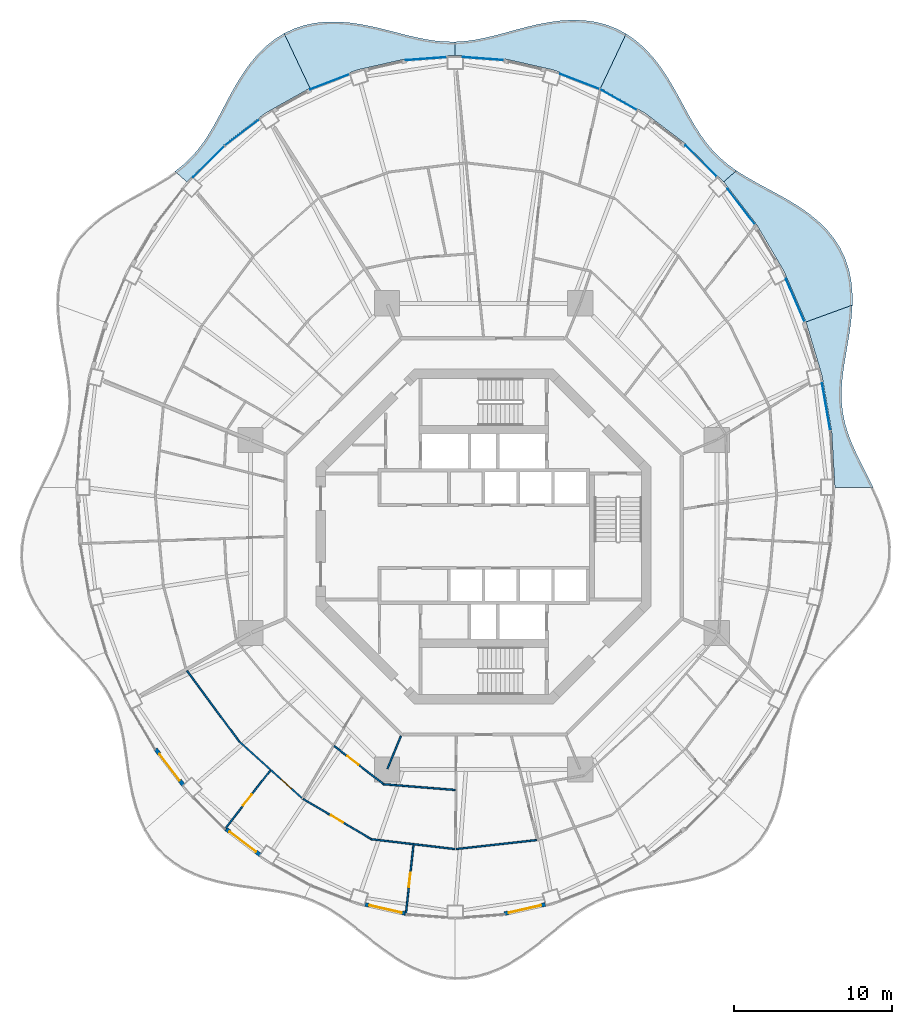
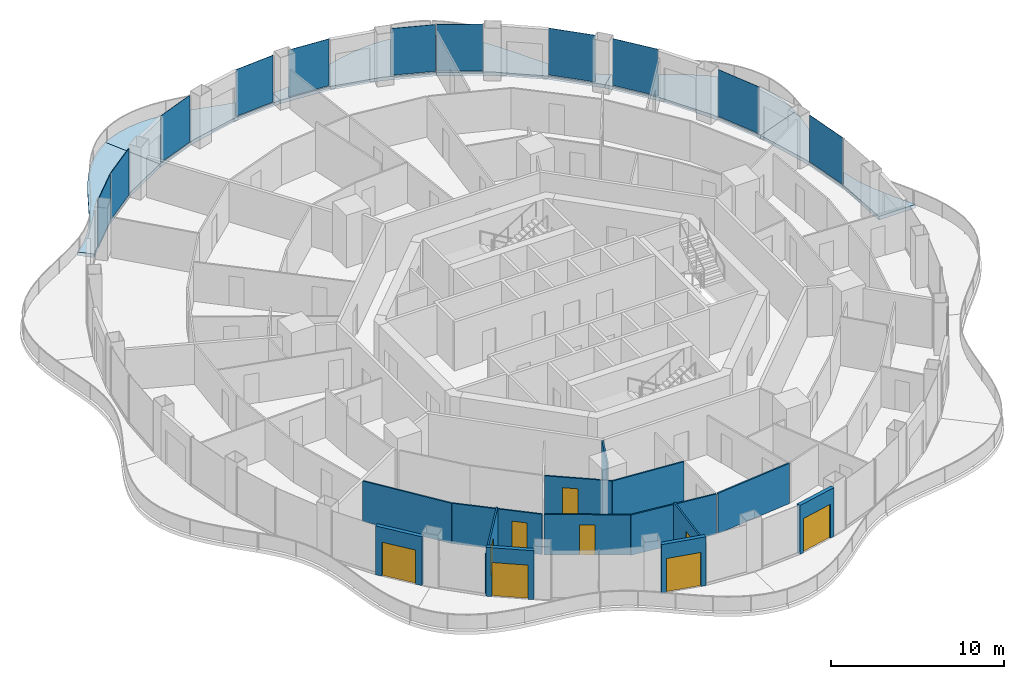
# One storey, part 9 of 18: 14 walls, 11 plates, 9 doors, 6 slabs, 9 openings, 11 elements without a shape of their own.
"""IFC4 building model written with IfcOpenShell, lengths in metres."""

import ifcopenshell
import ifcopenshell.guid

model = None  # the IFC model being written
_history = None  # IfcOwnerHistory: only IFC2X3 demands one
_inside = {}  # id of a spatial element -> (the spatial element, [elements in it])
_under = {}  # id of a project, library or spatial element -> (it, [spatial elements below it])
_declared = {}  # id of a project -> (the project, [libraries it declares])
_typed = {}  # id of a type object -> (the type object, [elements of that type])
_made_of = {}  # id of a material, layer set ... -> (it, [elements and type objects made of it])


def new_model(schema):
    """Start an empty IFC model of exactly this schema.

    Asked for "IFC4X3", IfcOpenShell would pick the latest addendum, in which some entities
    have other attributes; the version numbers below select the first issue.
    IFC2X3 requires an IfcOwnerHistory on every rooted entity: one is made here for all.
    """
    global model, _history
    if schema == "IFC4X3":
        model = ifcopenshell.file(schema_version=(4, 3, 0, 0))
    else:
        model = ifcopenshell.file(schema=schema)
    _inside.clear()
    _under.clear()
    _declared.clear()
    _typed.clear()
    _made_of.clear()
    _history = None
    if model.schema == "IFC2X3":
        org = make("IfcOrganization", Name="unknown")
        user = make(
            "IfcPersonAndOrganization",
            ThePerson=make("IfcPerson", FamilyName="unknown"),
            TheOrganization=org,
        )
        app = make(
            "IfcApplication",
            ApplicationDeveloper=org,
            Version="unknown",
            ApplicationFullName="unknown",
            ApplicationIdentifier="unknown",
        )
        _history = make(
            "IfcOwnerHistory",
            OwningUser=user,
            OwningApplication=app,
            ChangeAction="ADDED",
            CreationDate=0,
        )
    return model


def make(cls, **values):
    """One entity of the class cls with the attributes given. An attribute that is None is left unset."""
    return model.create_entity(
        cls, **{name: value for name, value in values.items() if value is not None}
    )


def rooted(cls, **values):
    """An entity with a GlobalId (a new one), such as an element, a storey or a relation."""
    return make(cls, GlobalId=ifcopenshell.guid.new(), OwnerHistory=_history, **values)


def si_unit(unit_type, name, prefix=None):
    """IfcSIUnit, for example si_unit("LENGTHUNIT", "METRE", prefix="MILLI")."""
    return make("IfcSIUnit", UnitType=unit_type, Prefix=prefix, Name=name)


def assignment(units):
    """IfcUnitAssignment: the units of a project."""
    return None if units is None else make("IfcUnitAssignment", Units=units)


def point(xyz):
    """IfcCartesianPoint."""
    return None if xyz is None else make("IfcCartesianPoint", Coordinates=xyz)


def direction(xyz):
    """IfcDirection."""
    return None if xyz is None else make("IfcDirection", DirectionRatios=xyz)


def frame(location, z_axis=None, x_axis=None):
    """IfcAxis2Placement3D, a coordinate frame: its origin and axes. An axis left out is left unset."""
    return make(
        "IfcAxis2Placement3D",
        Location=point(location),
        Axis=direction(z_axis),
        RefDirection=direction(x_axis),
    )


def frame_2d(location, x_axis=None):
    """IfcAxis2Placement2D, a coordinate frame in the plane: its origin and x axis."""
    return make(
        "IfcAxis2Placement2D", Location=point(location), RefDirection=direction(x_axis)
    )


def origin():
    """The frame at (0, 0, 0) with its axes left unset."""
    return frame((0.0, 0.0, 0.0))


def origin_2d():
    """The frame at (0, 0) in the plane with its x axis left unset."""
    return frame_2d((0.0, 0.0))


def place(relative_to, where):
    """IfcLocalPlacement: puts the frame where relative to a parent placement (None: the world)."""
    return make(
        "IfcLocalPlacement", PlacementRelTo=relative_to, RelativePlacement=where
    )


def context(
    kind, dimensions, precision=None, world=None, true_north=None, identifier=None
):
    """IfcGeometricRepresentationContext, for example the 3D "Model" context."""
    return make(
        "IfcGeometricRepresentationContext",
        ContextIdentifier=identifier,
        ContextType=kind,
        CoordinateSpaceDimension=dimensions,
        Precision=precision,
        WorldCoordinateSystem=world,
        TrueNorth=true_north,
    )


def subcontext(parent, identifier, kind, view, scale=None):
    """IfcGeometricRepresentationSubContext, for example "Body" below "Model"."""
    return make(
        "IfcGeometricRepresentationSubContext",
        ContextIdentifier=identifier,
        ContextType=kind,
        ParentContext=parent,
        TargetScale=scale,
        TargetView=view,
    )


def project(units=None, contexts=None):
    """IfcProject with its units and contexts."""
    return rooted(
        "IfcProject",
        Name="project",
        RepresentationContexts=contexts,
        UnitsInContext=assignment(units),
    )


def spatial(cls, under=None, at=None, **own):
    """A site, building, storey or space (cls), placed at a placement, below another one or the project."""
    s = rooted(cls, ObjectPlacement=at, **own)
    if under is not None:
        _under.setdefault(under.id(), (under, []))[1].append(s)
    return s


def polyline(points):
    """IfcPolyline through the points."""
    return make("IfcPolyline", Points=[point(p) for p in points])


def profile(cls, at=None, kind="AREA", **sizes):
    """A parametric profile (cls). Its sizes go by their IFC names, for example OverallWidth=200.0."""
    return make(cls, ProfileType=kind, Position=at, **sizes)


def rectangle(**sizes):
    """IfcRectangleProfileDef."""
    return profile("IfcRectangleProfileDef", **sizes)


def outline(outer, holes=None, kind="AREA"):
    """IfcArbitraryClosedProfileDef: a profile drawn as a closed curve; with holes, ...WithVoids."""
    if holes is None:
        return make("IfcArbitraryClosedProfileDef", ProfileType=kind, OuterCurve=outer)
    return make(
        "IfcArbitraryProfileDefWithVoids",
        ProfileType=kind,
        OuterCurve=outer,
        InnerCurves=holes,
    )


def extrude(swept, where, along, depth):
    """IfcExtrudedAreaSolid: the profile swept, set in the frame where, extruded along a direction by depth."""
    return make(
        "IfcExtrudedAreaSolid",
        SweptArea=swept,
        Position=where,
        ExtrudedDirection=direction(along),
        Depth=depth,
    )


def shape(context_of_items, identifier, shape_type, items):
    """IfcShapeRepresentation: the items that make up one representation, for example the "Body"."""
    return make(
        "IfcShapeRepresentation",
        ContextOfItems=context_of_items,
        RepresentationIdentifier=identifier,
        RepresentationType=shape_type,
        Items=items,
    )


def material(Name=None, Category=None):
    """IfcMaterial."""
    return make("IfcMaterial", Name=Name, Category=Category)


def layer(
    of_material, thickness, ventilated=None, Name=None, Category=None, Priority=None
):
    """IfcMaterialLayer: one layer of a wall or slab, of a material (None: an air gap)."""
    return make(
        "IfcMaterialLayer",
        Material=of_material,
        LayerThickness=thickness,
        IsVentilated=ventilated,
        Name=Name,
        Category=Category,
        Priority=Priority,
    )


def layer_set(layers, Name=None):
    """IfcMaterialLayerSet."""
    return make("IfcMaterialLayerSet", MaterialLayers=layers, LayerSetName=Name)


def made_of(thing, what):
    """Note that an element or type object is made of a material, layer set ...; save() writes the relation."""
    if what is not None:
        _made_of.setdefault(what.id(), (what, []))[1].append(thing)
    return thing


def type_object(cls, material=None, **own):
    """A type object (cls), such as IfcWallType, which elements share."""
    return made_of(rooted(cls, **own), material)


def element(
    cls,
    number,
    at=None,
    inside=None,
    cuts=None,
    type_object=None,
    material=None,
    context=None,
    identifier="Body",
    shape_type=None,
    held_by="IfcProductDefinitionShape",
    body=None,
    shapes=None,
    **own,
):
    """One element of the class cls, such as IfcWall. Its Tag is "e" and its number.

    at: its placement. inside: the storey or other place that contains it. cuts: it is an
    opening in that element (IfcRelVoidsElement). A single representation is given by context,
    identifier, shape_type and body (its items); several are given by shapes. held_by: the class
    of the entity that holds the representations. save() writes the other relations.
    """
    e = rooted(cls, Tag="e%d" % number, ObjectPlacement=at, **own)
    if body is not None:
        shapes = [shape(context, identifier, shape_type, body)]
    if shapes is not None:
        e.Representation = make(held_by, Representations=shapes)
    if inside is not None:
        _inside.setdefault(inside.id(), (inside, []))[1].append(e)
    if cuts is not None:
        rooted(
            "IfcRelVoidsElement", RelatingBuildingElement=cuts, RelatedOpeningElement=e
        )
    if type_object is not None:
        _typed.setdefault(type_object.id(), (type_object, []))[1].append(e)
    return made_of(e, material)


def fill(opening, filler):
    """IfcRelFillsElement: the door or window that sits in an opening."""
    return rooted(
        "IfcRelFillsElement",
        RelatingOpeningElement=opening,
        RelatedBuildingElement=filler,
    )


def aggregate(whole, parts):
    """IfcRelAggregates: a whole, such as a stair, and the parts it consists of."""
    return rooted("IfcRelAggregates", RelatingObject=whole, RelatedObjects=parts)


def save(model, path):
    """Write the relations noted so far, then the file.

    IfcRelAggregates (storeys below a building ...), IfcRelContainedInSpatialStructure (elements
    in a storey), IfcRelDefinesByType, IfcRelAssociatesMaterial and IfcRelDeclares: one each for
    every whole, place, type object, material and project.
    """
    for whole, parts in _under.values():
        aggregate(whole, parts)
    for where, things in _inside.values():
        rooted(
            "IfcRelContainedInSpatialStructure",
            RelatedElements=things,
            RelatingStructure=where,
        )
    for kind, things in _typed.values():
        rooted("IfcRelDefinesByType", RelatedObjects=things, RelatingType=kind)
    for what, things in _made_of.values():
        rooted("IfcRelAssociatesMaterial", RelatedObjects=things, RelatingMaterial=what)
    for by, libraries in _declared.values():
        rooted("IfcRelDeclares", RelatingContext=by, RelatedDefinitions=libraries)
    model.write(path)


model = new_model("IFC4")

# Units and contexts
model_context = context("Model", 3, precision=1e-05, world=origin(), true_north=direction((0.0, 1.0)))
body_context = subcontext(model_context, "Body", "Model", "MODEL_VIEW")
ifc_project = project(units=[si_unit("LENGTHUNIT", "METRE"), si_unit("AREAUNIT", "SQUARE_METRE"), si_unit("VOLUMEUNIT", "CUBIC_METRE"), si_unit("PLANEANGLEUNIT", "RADIAN"), si_unit("MASSUNIT", "GRAM", prefix="KILO")], contexts=[model_context])

# Site, building, storey
site_placement = place(None, origin())
site = spatial("IfcSite", under=ifc_project, at=site_placement, CompositionType="ELEMENT")
building_placement = place(site_placement, origin())
building = spatial("IfcBuilding", under=site, at=building_placement, Name="Nagisa Residences", CompositionType="ELEMENT")
storey_placement = place(building_placement, frame((0.0, 0.0, 223.300048828125)))
storey = spatial("IfcBuildingStorey", under=building, at=storey_placement, Name="L56", CompositionType="ELEMENT", Elevation=223.300048828125)

# Slabs
ifc_material_1 = material(Name="Concrete C40/50", Category="concrete")
ifc_layer_1 = layer(ifc_material_1, 0.25)
ifc_layer_set_1 = layer_set([ifc_layer_1], Name="BALCONY SLAB 250")
slab_type = type_object("IfcSlabType", Name="BALCONY SLAB 250", PredefinedType="FLOOR", material=ifc_layer_set_1)
slab_1_placement = place(storey_placement, frame((0.0, 0.0, -0.25)))
element("IfcSlab", 1, at=slab_1_placement, inside=storey, type_object=slab_type, Name="slab:L56:bal00", PredefinedType="FLOOR", context=body_context, shape_type="SweptSolid", body=[
    extrude(outline(polyline([(24.698486328125, 3.11767578125), (24.342041015625, 3.83056640625), (23.9853515625, 4.529052734375), (23.646728515625, 5.21435546875), (23.343017578125, 5.890380859375), (23.087890625, 6.560791015625), (22.891357421875, 7.231201171875), (22.75927734375, 7.906494140625), (22.693115234375, 8.592041015625), (22.689208984375, 9.29248046875), (22.740234375, 10.010498046875), (22.83447265625, 10.74853515625), (22.95703125, 11.50634765625), (23.0908203125, 12.28173828125), (23.21728515625, 13.0712890625), (23.317626953125, 13.869140625), (23.374267578125, 14.668212890625), (20.437744140625, 13.599365234375), (21.449951171875, 10.206787109375), (22.06396484375, 6.69287109375), (22.27001953125, 3.11767578125), (24.698486328125, 3.11767578125)])), origin(), (0.0, 0.0, 1.0), 0.25),
])
slab_2_placement = place(storey_placement, frame((0.0, 0.0, -0.25)))
element("IfcSlab", 2, at=slab_2_placement, inside=storey, type_object=slab_type, Name="slab:L56:bal01", PredefinedType="FLOOR", context=body_context, shape_type="SweptSolid", body=[
    extrude(outline(polyline([(23.374267578125, 14.668212890625), (23.3720703125, 15.43603515625), (23.301513671875, 16.18896484375), (23.1533203125, 16.919189453125), (22.922119140625, 17.618896484375), (22.6064453125, 18.281982421875), (22.207763671875, 18.90283203125), (21.732421875, 19.478515625), (21.189208984375, 20.008056640625), (20.589599609375, 20.49267578125), (19.947998046875, 20.936279296875), (19.27880859375, 21.34521484375), (18.597412109375, 21.72705078125), (17.9189453125, 22.091796875), (17.256591796875, 22.449951171875), (16.621826171875, 22.812744140625), (16.0234375, 23.19140625), (15.219970703125, 22.4853515625), (17.2958984375, 19.791748046875), (19.045166015625, 16.812744140625), (20.437744140625, 13.599365234375), (23.374267578125, 14.668212890625)])), origin(), (0.0, 0.0, 1.0), 0.25),
])
slab_3_placement = place(storey_placement, frame((0.0, 0.0, -0.25)))
element("IfcSlab", 3, at=slab_3_placement, inside=storey, type_object=slab_type, Name="slab:L56:bal02", PredefinedType="FLOOR", context=body_context, shape_type="SweptSolid", body=[
    extrude(outline(polyline([(16.0234375, 23.19140625), (15.4921875, 23.575927734375), (15.001220703125, 23.9912109375), (14.5498046875, 24.442626953125), (14.135009765625, 24.933349609375), (13.750732421875, 25.46435546875), (13.389404296875, 26.03369140625), (13.0419921875, 26.63671875), (12.6982421875, 27.266357421875), (12.34814453125, 27.913330078125), (11.9814453125, 28.56591796875), (11.589111328125, 29.21142578125), (11.162841796875, 29.836181640625), (10.697265625, 30.4267578125), (10.18798828125, 30.969482421875), (9.633544921875, 31.453125), (9.03466796875, 31.8671875), (7.4111328125, 28.4228515625), (10.235107421875, 26.838134765625), (12.852783203125, 24.84765625), (15.219970703125, 22.4853515625), (16.0234375, 23.19140625)])), origin(), (0.0, 0.0, 1.0), 0.25),
])
slab_4_placement = place(storey_placement, frame((0.0, 0.0, -0.25)))
element("IfcSlab", 4, at=slab_4_placement, inside=storey, type_object=slab_type, Name="slab:L56:bal03", PredefinedType="FLOOR", context=body_context, shape_type="SweptSolid", body=[
    extrude(outline(polyline([(9.03466796875, 31.8671875), (8.41796875, 32.193603515625), (7.766845703125, 32.4443359375), (7.08642578125, 32.617919921875), (6.384033203125, 32.71630859375), (5.666015625, 32.7431640625), (4.93994140625, 32.7060546875), (4.212646484375, 32.614013671875), (3.490478515625, 32.478515625), (2.7783203125, 32.312255859375), (2.079833984375, 32.128662109375), (1.397705078125, 31.941650390625), (0.732177734375, 31.76416015625), (0.08251953125, 31.608154296875), (-0.5537109375, 31.484130859375), (-1.1796875, 31.3994140625), (-1.800048828125, 31.35986328125), (-1.800048828125, 30.5078125), (1.341796875, 30.2734375), (4.4296875, 29.574462890625), (7.4111328125, 28.4228515625), (9.03466796875, 31.8671875)])), origin(), (0.0, 0.0, 1.0), 0.25),
])
slab_5_placement = place(storey_placement, frame((0.0, 0.0, -0.25)))
element("IfcSlab", 5, at=slab_5_placement, inside=storey, type_object=slab_type, Name="slab:L56:bal04", PredefinedType="FLOOR", context=body_context, shape_type="SweptSolid", body=[
    extrude(outline(polyline([(-1.800048828125, 31.35986328125), (-2.41943359375, 31.3671875), (-3.042724609375, 31.420654296875), (-3.6748046875, 31.516845703125), (-4.319091796875, 31.64892578125), (-4.978759765625, 31.8076171875), (-5.655029296875, 31.98193359375), (-6.347900390625, 32.1591796875), (-7.0556640625, 32.326171875), (-7.775390625, 32.46875), (-8.502197265625, 32.57421875), (-9.230224609375, 32.63037109375), (-9.952880859375, 32.626953125), (-10.6630859375, 32.5556640625), (-11.353271484375, 32.4111328125), (-12.0166015625, 32.190185546875), (-12.64697265625, 31.893310546875), (-11.01123046875, 28.4228515625), (-8.02978515625, 29.574462890625), (-4.941650390625, 30.2734375), (-1.800048828125, 30.5078125), (-1.800048828125, 31.35986328125)])), origin(), (0.0, 0.0, 1.0), 0.25),
])
slab_6_placement = place(storey_placement, frame((0.0, 0.0, -0.25)))
element("IfcSlab", 6, at=slab_6_placement, inside=storey, type_object=slab_type, Name="slab:L56:bal05", PredefinedType="FLOOR", context=body_context, shape_type="SweptSolid", body=[
    extrude(outline(polyline([(-12.64697265625, 31.893310546875), (-13.26123046875, 31.5078125), (-13.8310546875, 31.049560546875), (-14.35498046875, 30.52734375), (-14.833740234375, 29.952392578125), (-15.270263671875, 29.3369140625), (-15.669921875, 28.69482421875), (-16.03955078125, 28.039306640625), (-16.38818359375, 27.384033203125), (-16.7255859375, 26.740478515625), (-17.06201171875, 26.119384765625), (-17.408203125, 25.52880859375), (-17.7734375, 24.974365234375), (-18.16650390625, 24.45947265625), (-18.593994140625, 23.984130859375), (-19.060302734375, 23.546630859375), (-19.5673828125, 23.14208984375), (-18.820068359375, 22.4853515625), (-16.452880859375, 24.84765625), (-13.8349609375, 26.838134765625), (-11.01123046875, 28.4228515625), (-12.64697265625, 31.893310546875)])), origin(), (0.0, 0.0, 1.0), 0.25),
])

# Curtain wall, plate
ifc_material_2 = material(Name="Concrete-coloured aluminium curtain wall system", Category="concrete")
ifc_layer_2 = layer(ifc_material_2, 0.159912109375)
ifc_layer_set_2 = layer_set([ifc_layer_2], Name="CW1 CURTAIN WALL")
curtain_wall_type = type_object("IfcCurtainWallType", Name="CW1 CURTAIN WALL", PredefinedType="NOTDEFINED", material=ifc_layer_set_2)
curtain_wall_1_placement = place(storey_placement, origin())
curtain_wall_1 = element("IfcCurtainWall", 7, at=curtain_wall_1_placement, inside=storey, type_object=curtain_wall_type, Name="cw:CW1:L56:01", PredefinedType="NOTDEFINED")
ifc_material_3 = material(Name="Clear laminated glass", Category="glass")
ifc_layer_3 = layer(ifc_material_3, 0.028076171875)
ifc_layer_set_3 = layer_set([ifc_layer_3], Name="CW1 GLASS PANEL")
plate_type = type_object("IfcPlateType", Name="CW1 GLASS PANEL", PredefinedType="CURTAIN_PANEL", material=ifc_layer_set_3)
plate_1_placement = place(storey_placement, frame((21.716064453125, 8.21923828125, 0.14990234375), z_axis=(0.0, 0.0, 1.0), x_axis=(-0.172190868898, 0.985063604377, 0.0)))
plate_1 = element("IfcPlate", 8, at=plate_1_placement, type_object=plate_type, Name="CW1 panel", PredefinedType="CURTAIN_PANEL", context=body_context, shape_type="SweptSolid", body=[
    extrude(rectangle(XDim=3.00732421875, YDim=0.028076171875, at=origin_2d()), origin(), (0.0, 0.0, 1.0), 3.2900390625),
])
aggregate(curtain_wall_1, [plate_1])

curtain_wall_2_placement = place(storey_placement, origin())
curtain_wall_2 = element("IfcCurtainWall", 9, at=curtain_wall_2_placement, inside=storey, type_object=curtain_wall_type, Name="cw:CW1:L56:03", PredefinedType="NOTDEFINED")
plate_2_placement = place(storey_placement, frame((19.755615234375, 14.972412109375, 0.14990234375), z_axis=(0.0, 0.0, 1.0), x_axis=(-0.397635934147, 0.917543276295, 0.0)))
plate_2 = element("IfcPlate", 10, at=plate_2_placement, type_object=plate_type, Name="CW1 panel", PredefinedType="CURTAIN_PANEL", context=body_context, shape_type="SweptSolid", body=[
    extrude(rectangle(XDim=2.942138671875, YDim=0.028076171875, at=origin_2d()), origin(), (0.0, 0.0, 1.0), 3.2900390625),
])
aggregate(curtain_wall_2, [plate_2])

curtain_wall_3_placement = place(storey_placement, origin())
curtain_wall_3 = element("IfcCurtainWall", 11, at=curtain_wall_3_placement, inside=storey, type_object=curtain_wall_type, Name="cw:CW1:L56:05", PredefinedType="NOTDEFINED")
plate_3_placement = place(storey_placement, frame((16.328857421875, 20.91552734375, 0.14990234375), z_axis=(0.0, 0.0, 1.0), x_axis=(-0.610429828235, 0.792070340816, 0.0)))
plate_3 = element("IfcPlate", 12, at=plate_3_placement, type_object=plate_type, Name="CW1 panel", PredefinedType="CURTAIN_PANEL", context=body_context, shape_type="SweptSolid", body=[
    extrude(rectangle(XDim=2.8408203125, YDim=0.028076171875, at=origin_2d()), origin(), (0.0, 0.0, 1.0), 3.2900390625),
])
aggregate(curtain_wall_3, [plate_3])

curtain_wall_4_placement = place(storey_placement, origin())
curtain_wall_4 = element("IfcCurtainWall", 13, at=curtain_wall_4_placement, inside=storey, type_object=curtain_wall_type, Name="cw:CW1:L56:06", PredefinedType="NOTDEFINED")
plate_4_placement = place(storey_placement, frame((13.78173828125, 23.8076171875, 0.14990234375), z_axis=(0.0, 0.0, 1.0), x_axis=(-0.707835924016, 0.706376885714, 0.0)))
plate_4 = element("IfcPlate", 14, at=plate_4_placement, type_object=plate_type, Name="CW1 panel", PredefinedType="CURTAIN_PANEL", context=body_context, shape_type="SweptSolid", body=[
    extrude(rectangle(XDim=2.7841796875, YDim=0.028076171875, at=origin_2d()), origin(), (0.0, 0.0, 1.0), 3.2900390625),
])
aggregate(curtain_wall_4, [plate_4])

curtain_wall_5_placement = place(storey_placement, origin())
curtain_wall_5 = element("IfcCurtainWall", 15, at=curtain_wall_5_placement, inside=storey, type_object=curtain_wall_type, Name="cw:CW1:L56:08", PredefinedType="NOTDEFINED")
plate_5_placement = place(storey_placement, frame((8.539794921875, 27.69775390625, 0.14990234375), z_axis=(0.0, 0.0, 1.0), x_axis=(-0.872072377523, 0.489376918501, 0.0)))
plate_5 = element("IfcPlate", 16, at=plate_5_placement, type_object=plate_type, Name="CW1 panel", PredefinedType="CURTAIN_PANEL", context=body_context, shape_type="SweptSolid", body=[
    extrude(rectangle(XDim=2.677978515625, YDim=0.028076171875, at=origin_2d()), origin(), (0.0, 0.0, 1.0), 3.2900390625),
])
aggregate(curtain_wall_5, [plate_5])

curtain_wall_6_placement = place(storey_placement, origin())
curtain_wall_6 = element("IfcCurtainWall", 17, at=curtain_wall_6_placement, inside=storey, type_object=curtain_wall_type, Name="cw:CW1:L56:09", PredefinedType="NOTDEFINED")
plate_6_placement = place(storey_placement, frame((6.096923828125, 28.8447265625, 0.14990234375), z_axis=(0.0, 0.0, 1.0), x_axis=(-0.932825759707, 0.360327770268, 0.0)))
plate_6 = element("IfcPlate", 18, at=plate_6_placement, type_object=plate_type, Name="CW1 panel", PredefinedType="CURTAIN_PANEL", context=body_context, shape_type="SweptSolid", body=[
    extrude(rectangle(XDim=2.63623046875, YDim=0.028076171875, at=origin_2d()), origin(), (0.0, 0.0, 1.0), 3.2900390625),
])
aggregate(curtain_wall_6, [plate_6])

curtain_wall_7_placement = place(storey_placement, origin())
curtain_wall_7 = element("IfcCurtainWall", 19, at=curtain_wall_7_placement, inside=storey, type_object=curtain_wall_type, Name="cw:CW1:L56:11", PredefinedType="NOTDEFINED")
plate_7_placement = place(storey_placement, frame((-0.015625, 30.29443359375, 0.14990234375), z_axis=(0.0, 0.0, 1.0), x_axis=(-0.997230168512, 0.074377355493, 0.0)))
plate_7 = element("IfcPlate", 20, at=plate_7_placement, type_object=plate_type, Name="CW1 panel", PredefinedType="CURTAIN_PANEL", context=body_context, shape_type="SweptSolid", body=[
    extrude(rectangle(XDim=2.590576171875, YDim=0.028076171875, at=origin_2d()), origin(), (0.0, 0.0, 1.0), 3.2900390625),
])
aggregate(curtain_wall_7, [plate_7])

curtain_wall_8_placement = place(storey_placement, origin())
curtain_wall_8 = element("IfcCurtainWall", 21, at=curtain_wall_8_placement, inside=storey, type_object=curtain_wall_type, Name="cw:CW1:L56:12", PredefinedType="NOTDEFINED")
plate_8_placement = place(storey_placement, frame((-3.64404296875, 30.2900390625, 0.14990234375), z_axis=(0.0, 0.0, 1.0), x_axis=(-0.997230168512, -0.074377355493, 0.0)))
plate_8 = element("IfcPlate", 22, at=plate_8_placement, type_object=plate_type, Name="CW1 panel", PredefinedType="CURTAIN_PANEL", context=body_context, shape_type="SweptSolid", body=[
    extrude(rectangle(XDim=2.590576171875, YDim=0.028076171875, at=origin_2d()), origin(), (0.0, 0.0, 1.0), 3.2900390625),
])
aggregate(curtain_wall_8, [plate_8])

curtain_wall_9_placement = place(storey_placement, origin())
curtain_wall_9 = element("IfcCurtainWall", 23, at=curtain_wall_9_placement, inside=storey, type_object=curtain_wall_type, Name="cw:CW1:L56:14", PredefinedType="NOTDEFINED")
plate_9_placement = place(storey_placement, frame((-9.7529296875, 28.822998046875, 0.14990234375), z_axis=(0.0, 0.0, 1.0), x_axis=(-0.932825759707, -0.360327770268, 0.0)))
plate_9 = element("IfcPlate", 24, at=plate_9_placement, type_object=plate_type, Name="CW1 panel", PredefinedType="CURTAIN_PANEL", context=body_context, shape_type="SweptSolid", body=[
    extrude(rectangle(XDim=2.63623046875, YDim=0.028076171875, at=origin_2d()), origin(), (0.0, 0.0, 1.0), 3.2900390625),
])
aggregate(curtain_wall_9, [plate_9])

curtain_wall_10_placement = place(storey_placement, origin())
curtain_wall_10 = element("IfcCurtainWall", 25, at=curtain_wall_10_placement, inside=storey, type_object=curtain_wall_type, Name="cw:CW1:L56:16", PredefinedType="NOTDEFINED")
plate_10_placement = place(storey_placement, frame((-15.318359375, 25.609619140625, 0.14990234375), z_axis=(0.0, 0.0, 1.0), x_axis=(-0.79603132756, -0.605255421737, 0.0)))
plate_10 = element("IfcPlate", 26, at=plate_10_placement, type_object=plate_type, Name="CW1 panel", PredefinedType="CURTAIN_PANEL", context=body_context, shape_type="SweptSolid", body=[
    extrude(rectangle(XDim=2.728759765625, YDim=0.028076171875, at=origin_2d()), origin(), (0.0, 0.0, 1.0), 3.2900390625),
])
aggregate(curtain_wall_10, [plate_10])

curtain_wall_11_placement = place(storey_placement, origin())
curtain_wall_11 = element("IfcCurtainWall", 27, at=curtain_wall_11_placement, inside=storey, type_object=curtain_wall_type, Name="cw:CW1:L56:17", PredefinedType="NOTDEFINED")
plate_11_placement = place(storey_placement, frame((-17.42431640625, 23.765380859375, 0.14990234375), z_axis=(0.0, 0.0, 1.0), x_axis=(-0.707835924016, -0.706376885714, 0.0)))
plate_11 = element("IfcPlate", 28, at=plate_11_placement, type_object=plate_type, Name="CW1 panel", PredefinedType="CURTAIN_PANEL", context=body_context, shape_type="SweptSolid", body=[
    extrude(rectangle(XDim=2.7841796875, YDim=0.028076171875, at=origin_2d()), origin(), (0.0, 0.0, 1.0), 3.2900390625),
])
aggregate(curtain_wall_11, [plate_11])

# Wall
ifc_material_4 = material(Name="Gypsum board on steel studs", Category="steel")
ifc_layer_4 = layer(ifc_material_4, 0.10009765625)
ifc_layer_set_4 = layer_set([ifc_layer_4], Name="Apartment partition 100")
wall_type_1 = type_object("IfcWallType", Name="Apartment partition 100", PredefinedType="PARTITIONING", material=ifc_layer_set_4)
wall_1_placement = place(storey_placement, frame((-18.804443359375, -8.515625, 0.0), z_axis=(0.0, 0.0, 1.0), x_axis=(0.593249583583, -0.805018590828, 0.0)))
element("IfcWall", 29, at=wall_1_placement, inside=storey, type_object=wall_type_1, Name="wall:L56:u63", PredefinedType="PARTITIONING", context=body_context, shape_type="SweptSolid", body=[
    extrude(rectangle(XDim=5.601806640625, YDim=0.10009765625, at=frame_2d((2.80078125, 0.0))), origin(), (0.0, 0.0, 1.0), 2.8369140625),
])

# Wall, opening, door
wall_2_placement = place(storey_placement, frame((-15.4736328125, -13.0185546875, 0.0), z_axis=(0.0, 0.0, 1.0), x_axis=(0.742348572616, -0.670013878017, 0.0)))
wall_2 = element("IfcWall", 30, at=wall_2_placement, inside=storey, type_object=wall_type_1, Name="wall:L56:u65", PredefinedType="PARTITIONING", context=body_context, shape_type="SweptSolid", body=[
    extrude(rectangle(XDim=5.3193359375, YDim=0.10009765625, at=frame_2d((2.65966796875, 0.0))), origin(), (0.0, 0.0, 1.0), 2.8369140625),
])
opening_1_placement = place(wall_2_placement, frame((3.53955078125, 0.0, 0.0)))
opening_1 = element("IfcOpeningElement", 31, at=opening_1_placement, cuts=wall_2, Name="Opening L56-U25", PredefinedType="OPENING", context=body_context, shape_type="SweptSolid", body=[
    extrude(rectangle(XDim=0.89990234375, YDim=2.10009765625, at=frame_2d((0.449951171875, 1.050048828125))), frame((0.0, 0.06005859375, 0.0), z_axis=(0.0, -1.0, 0.0), x_axis=(1.0, 0.0, 0.0)), (0.0, 0.0, 1.0), 0.1201171875),
])
ifc_material_5 = material(Name="Timber door set", Category="wood")
door_type_1 = type_object("IfcDoorType", Name="Apartment door 900x2100", OperationType="NOTDEFINED", PredefinedType="DOOR", material=ifc_material_5)
door_1_placement = place(opening_1_placement, origin())
door_1 = element("IfcDoor", 32, at=door_1_placement, inside=storey, type_object=door_type_1, Name="Door to dining room, Apartment 56C", OperationType="SINGLE_SWING_LEFT", OverallHeight=2.10009765625, OverallWidth=0.89990234375, PredefinedType="DOOR", context=body_context, shape_type="SweptSolid", body=[
    extrude(rectangle(XDim=0.89990234375, YDim=2.10009765625, at=frame_2d((0.449951171875, 1.050048828125))), frame((0.0, 0.02490234375, 0.0), z_axis=(0.0, -1.0, 0.0), x_axis=(1.0, 0.0, 0.0)), (0.0, 0.0, 1.0), 0.050048828125),
])
fill(opening_1, door_1)

wall_3_placement = place(storey_placement, frame((-13.52978515625, -14.840087890625, 0.0), z_axis=(0.0, 0.0, 1.0), x_axis=(-0.612546685222, -0.790434411209, 0.0)))
wall_3 = element("IfcWall", 33, at=wall_3_placement, inside=storey, type_object=wall_type_1, Name="wall:L56:u66", PredefinedType="PARTITIONING", context=body_context, shape_type="SweptSolid", body=[
    extrude(rectangle(XDim=4.732177734375, YDim=0.10009765625, at=frame_2d((2.3662109375, 0.0))), origin(), (0.0, 0.0, 1.0), 2.98291015625),
])
opening_2_placement = place(wall_3_placement, frame((1.916015625, 0.0, 0.0)))
opening_2 = element("IfcOpeningElement", 34, at=opening_2_placement, cuts=wall_3, Name="Opening L56-U28", PredefinedType="OPENING", context=body_context, shape_type="SweptSolid", body=[
    extrude(rectangle(XDim=0.89990234375, YDim=2.10009765625, at=frame_2d((0.449951171875, 1.050048828125))), frame((0.0, 0.06005859375, 0.0), z_axis=(0.0, -1.0, 0.0), x_axis=(1.0, 0.0, 0.0)), (0.0, 0.0, 1.0), 0.1201171875),
])
door_2_placement = place(opening_2_placement, frame((0.89990234375, 0.0, 0.0), x_axis=(-1.0, 0.0, 0.0)))
door_2 = element("IfcDoor", 35, at=door_2_placement, inside=storey, type_object=door_type_1, Name="Door to master bedroom, Apartment 56C", OperationType="SINGLE_SWING_LEFT", OverallHeight=2.10009765625, OverallWidth=0.89990234375, PredefinedType="DOOR", context=body_context, shape_type="SweptSolid", body=[
    extrude(rectangle(XDim=0.89990234375, YDim=2.10009765625, at=frame_2d((0.449951171875, 1.050048828125))), frame((0.0, 0.02490234375, 0.0), z_axis=(0.0, -1.0, 0.0), x_axis=(1.0, 0.0, 0.0)), (0.0, 0.0, 1.0), 0.050048828125),
])
fill(opening_2, door_2)

wall_4_placement = place(storey_placement, frame((-9.471435546875, -13.289306640625, 0.0), z_axis=(0.0, 0.0, 1.0), x_axis=(0.7922205419, -0.61023488346, 0.0)))
wall_4 = element("IfcWall", 36, at=wall_4_placement, inside=storey, type_object=wall_type_1, Name="wall:L56:u68", PredefinedType="PARTITIONING", context=body_context, shape_type="SweptSolid", body=[
    extrude(rectangle(XDim=3.916015625, YDim=0.10009765625, at=frame_2d((1.9580078125, 0.0))), origin(), (0.0, 0.0, 1.0), 2.8369140625),
])
opening_3_placement = place(wall_4_placement, frame((1.044921875, 0.0, 0.0)))
opening_3 = element("IfcOpeningElement", 37, at=opening_3_placement, cuts=wall_4, Name="Opening L56-U24", PredefinedType="OPENING", context=body_context, shape_type="SweptSolid", body=[
    extrude(rectangle(XDim=0.89990234375, YDim=2.10009765625, at=frame_2d((0.449951171875, 1.050048828125))), frame((0.0, 0.06005859375, 0.0), z_axis=(0.0, -1.0, 0.0), x_axis=(1.0, 0.0, 0.0)), (0.0, 0.0, 1.0), 0.1201171875),
])
door_3_placement = place(opening_3_placement, origin())
door_3 = element("IfcDoor", 38, at=door_3_placement, inside=storey, type_object=door_type_1, Name="Door to laundry, Apartment 56C", OperationType="SINGLE_SWING_RIGHT", OverallHeight=2.10009765625, OverallWidth=0.89990234375, PredefinedType="DOOR", context=body_context, shape_type="SweptSolid", body=[
    extrude(rectangle(XDim=0.89990234375, YDim=2.10009765625, at=frame_2d((0.449951171875, 1.050048828125))), frame((0.0, 0.02490234375, 0.0), z_axis=(0.0, -1.0, 0.0), x_axis=(1.0, 0.0, 0.0)), (0.0, 0.0, 1.0), 0.050048828125),
])
fill(opening_3, door_3)

wall_5_placement = place(storey_placement, frame((-11.444580078125, -16.641357421875, 0.0), z_axis=(0.0, 0.0, 1.0), x_axis=(0.861562560957, -0.507651409489, 0.0)))
wall_5 = element("IfcWall", 39, at=wall_5_placement, inside=storey, type_object=wall_type_1, Name="wall:L56:u69", PredefinedType="PARTITIONING", context=body_context, shape_type="SweptSolid", body=[
    extrude(rectangle(XDim=4.98486328125, YDim=0.10009765625, at=frame_2d((2.492431640625, 0.0))), origin(), (0.0, 0.0, 1.0), 2.8369140625),
])
opening_4_placement = place(wall_5_placement, frame((2.04248046875, 0.0, 0.0)))
opening_4 = element("IfcOpeningElement", 40, at=opening_4_placement, cuts=wall_5, Name="Opening L56-U20", PredefinedType="OPENING", context=body_context, shape_type="SweptSolid", body=[
    extrude(rectangle(XDim=0.89990234375, YDim=2.10009765625, at=frame_2d((0.449951171875, 1.050048828125))), frame((0.0, 0.06005859375, 0.0), z_axis=(0.0, -1.0, 0.0), x_axis=(1.0, 0.0, 0.0)), (0.0, 0.0, 1.0), 0.1201171875),
])
door_4_placement = place(opening_4_placement, frame((0.89990234375, 0.0, 0.0), x_axis=(-1.0, 0.0, 0.0)))
door_4 = element("IfcDoor", 41, at=door_4_placement, inside=storey, type_object=door_type_1, Name="Door to living room, Apartment 56C", OperationType="SINGLE_SWING_LEFT", OverallHeight=2.10009765625, OverallWidth=0.89990234375, PredefinedType="DOOR", context=body_context, shape_type="SweptSolid", body=[
    extrude(rectangle(XDim=0.89990234375, YDim=2.10009765625, at=frame_2d((0.449951171875, 1.050048828125))), frame((0.0, 0.02490234375, 0.0), z_axis=(0.0, -1.0, 0.0), x_axis=(1.0, 0.0, 0.0)), (0.0, 0.0, 1.0), 0.050048828125),
])
fill(opening_4, door_4)

# Walls
wall_6_placement = place(storey_placement, frame((-5.24267578125, -12.6572265625, 0.0), z_axis=(0.0, 0.0, 1.0), x_axis=(-0.382719158442, -0.923864733477, 0.0)))
element("IfcWall", 42, at=wall_6_placement, inside=storey, type_object=wall_type_1, Name="wall:L56:u70", PredefinedType="PARTITIONING", context=body_context, shape_type="SweptSolid", body=[
    extrude(rectangle(XDim=2.25, YDim=0.10009765625, at=frame_2d((1.125, 0.0))), origin(), (0.0, 0.0, 1.0), 3.43994140625),
])
wall_7_placement = place(storey_placement, frame((-6.37939453125, -15.705322265625, 0.0), z_axis=(0.0, 0.0, 1.0), x_axis=(0.996786462227, -0.080104611105, 0.0)))
element("IfcWall", 43, at=wall_7_placement, inside=storey, type_object=wall_type_1, Name="wall:L56:u71", PredefinedType="PARTITIONING", context=body_context, shape_type="SweptSolid", body=[
    extrude(rectangle(XDim=4.58984375, YDim=0.10009765625, at=frame_2d((2.294921875, 0.0))), origin(), (0.0, 0.0, 1.0), 2.8369140625),
])
wall_8_placement = place(storey_placement, frame((-7.156494140625, -19.19140625, 0.0), z_axis=(0.0, 0.0, 1.0), x_axis=(0.993172627718, -0.116653896424, 0.0)))
element("IfcWall", 44, at=wall_8_placement, inside=storey, type_object=wall_type_1, Name="wall:L56:u72", PredefinedType="PARTITIONING", context=body_context, shape_type="SweptSolid", body=[
    extrude(rectangle(XDim=5.3681640625, YDim=0.10009765625, at=frame_2d((2.68408203125, 0.0))), origin(), (0.0, 0.0, 1.0), 2.8369140625),
])

# Wall, opening, door
wall_9_placement = place(storey_placement, frame((-4.446533203125, -19.56005859375, 0.0), z_axis=(0.0, 0.0, 1.0), x_axis=(-0.109897425445, -0.993942933915, 0.0)))
wall_9 = element("IfcWall", 45, at=wall_9_placement, inside=storey, type_object=wall_type_1, Name="wall:L56:u73", PredefinedType="PARTITIONING", context=body_context, shape_type="SweptSolid", body=[
    extrude(rectangle(XDim=4.46533203125, YDim=0.10009765625, at=frame_2d((2.232666015625, 0.0))), origin(), (0.0, 0.0, 1.0), 2.98291015625),
])
opening_5_placement = place(wall_9_placement, frame((1.78271484375, 0.0, 0.0)))
opening_5 = element("IfcOpeningElement", 46, at=opening_5_placement, cuts=wall_9, Name="Opening L56-U21", PredefinedType="OPENING", context=body_context, shape_type="SweptSolid", body=[
    extrude(rectangle(XDim=0.89990234375, YDim=2.10009765625, at=frame_2d((0.449951171875, 1.050048828125))), frame((0.0, 0.06005859375, 0.0), z_axis=(0.0, -1.0, 0.0), x_axis=(1.0, 0.0, 0.0)), (0.0, 0.0, 1.0), 0.1201171875),
])
door_5_placement = place(opening_5_placement, origin())
door_5 = element("IfcDoor", 47, at=door_5_placement, inside=storey, type_object=door_type_1, Name="Door to family room, Apartment 56C", OperationType="SINGLE_SWING_LEFT", OverallHeight=2.10009765625, OverallWidth=0.89990234375, PredefinedType="DOOR", context=body_context, shape_type="SweptSolid", body=[
    extrude(rectangle(XDim=0.89990234375, YDim=2.10009765625, at=frame_2d((0.449951171875, 1.050048828125))), frame((0.0, 0.02490234375, 0.0), z_axis=(0.0, -1.0, 0.0), x_axis=(1.0, 0.0, 0.0)), (0.0, 0.0, 1.0), 0.050048828125),
])
fill(opening_5, door_5)

# Wall
wall_10_placement = place(storey_placement, frame((-1.7255859375, -19.81787109375, 0.0), z_axis=(0.0, 0.0, 1.0), x_axis=(0.99381893047, 0.111013212902, 0.0)))
element("IfcWall", 48, at=wall_10_placement, inside=storey, type_object=wall_type_1, Name="wall:L56:u75", PredefinedType="PARTITIONING", context=body_context, shape_type="SweptSolid", body=[
    extrude(rectangle(XDim=5.113037109375, YDim=0.10009765625, at=frame_2d((2.556640625, 0.0))), origin(), (0.0, 0.0, 1.0), 2.8369140625),
])

# Wall, opening, door
ifc_material_6 = material(Name="Precast concrete C40/50", Category="concrete")
ifc_layer_5 = layer(ifc_material_6, 0.25)
ifc_layer_set_5 = layer_set([ifc_layer_5], Name="BALCONY DOOR WALL 250")
wall_type_2 = type_object("IfcWallType", Name="BALCONY DOOR WALL 250", PredefinedType="SOLIDWALL", material=ifc_layer_set_5)
wall_11_placement = place(storey_placement, frame((-19.0263671875, -15.777587890625, 0.0), z_axis=(0.0, 0.0, 1.0), x_axis=(-0.610438565676, 0.792063607001, 0.0)))
wall_11 = element("IfcWall", 49, at=wall_11_placement, inside=storey, type_object=wall_type_2, Name="wall:L56:bay29", PredefinedType="SOLIDWALL", context=body_context, shape_type="SweptSolid", body=[
    extrude(rectangle(XDim=2.90087890625, YDim=0.25, at=frame_2d((1.450439453125, 0.0))), origin(), (0.0, 0.0, 1.0), 3.43994140625),
])
opening_6_placement = place(wall_11_placement, frame((0.400390625, 0.0, 0.0)))
opening_6 = element("IfcOpeningElement", 50, at=opening_6_placement, cuts=wall_11, Name="Opening BD-L56-10", PredefinedType="OPENING", context=body_context, shape_type="SweptSolid", body=[
    extrude(rectangle(XDim=2.10009765625, YDim=2.39990234375, at=frame_2d((1.050048828125, 1.199951171875))), frame((0.0, 0.135009765625, 0.0), z_axis=(0.0, -1.0, 0.0), x_axis=(1.0, 0.0, 0.0)), (0.0, 0.0, 1.0), 0.27001953125),
])
ifc_material_7 = material(Name="Aluminium and clear glass", Category="aluminium")
door_type_2 = type_object("IfcDoorType", Name="BALCONY SLIDING DOOR 2100x2400", OperationType="SLIDING_TO_LEFT", PredefinedType="DOOR", material=ifc_material_7)
door_6_placement = place(opening_6_placement, origin())
door_6 = element("IfcDoor", 51, at=door_6_placement, inside=storey, type_object=door_type_2, Name="door:L56:bay29", OperationType="SLIDING_TO_LEFT", OverallHeight=2.39990234375, OverallWidth=2.10009765625, PredefinedType="DOOR", context=body_context, shape_type="SweptSolid", body=[
    extrude(rectangle(XDim=2.10009765625, YDim=2.39990234375, at=frame_2d((1.050048828125, 1.199951171875))), frame((0.0, 0.02490234375, 0.0), z_axis=(0.0, -1.0, 0.0), x_axis=(1.0, 0.0, 0.0)), (0.0, 0.0, 1.0), 0.050048828125),
])
fill(opening_6, door_6)

wall_12_placement = place(storey_placement, frame((-14.157470703125, -20.20068359375, 0.0), z_axis=(0.0, 0.0, 1.0), x_axis=(-0.795990084031, 0.60530966135, 0.0)))
wall_12 = element("IfcWall", 52, at=wall_12_placement, inside=storey, type_object=wall_type_2, Name="wall:L56:bay31", PredefinedType="SOLIDWALL", context=body_context, shape_type="SweptSolid", body=[
    extrude(rectangle(XDim=2.78857421875, YDim=0.25, at=frame_2d((1.394287109375, 0.0))), origin(), (0.0, 0.0, 1.0), 3.43994140625),
])
opening_7_placement = place(wall_12_placement, frame((0.34423828125, 0.0, 0.0)))
opening_7 = element("IfcOpeningElement", 53, at=opening_7_placement, cuts=wall_12, Name="Opening BD-L56-11", PredefinedType="OPENING", context=body_context, shape_type="SweptSolid", body=[
    extrude(rectangle(XDim=2.10009765625, YDim=2.39990234375, at=frame_2d((1.050048828125, 1.199951171875))), frame((0.0, 0.135009765625, 0.0), z_axis=(0.0, -1.0, 0.0), x_axis=(1.0, 0.0, 0.0)), (0.0, 0.0, 1.0), 0.27001953125),
])
door_7_placement = place(opening_7_placement, origin())
door_7 = element("IfcDoor", 54, at=door_7_placement, inside=storey, type_object=door_type_2, Name="door:L56:bay31", OperationType="SLIDING_TO_LEFT", OverallHeight=2.39990234375, OverallWidth=2.10009765625, PredefinedType="DOOR", context=body_context, shape_type="SweptSolid", body=[
    extrude(rectangle(XDim=2.10009765625, YDim=2.39990234375, at=frame_2d((1.050048828125, 1.199951171875))), frame((0.0, 0.02490234375, 0.0), z_axis=(0.0, -1.0, 0.0), x_axis=(1.0, 0.0, 0.0)), (0.0, 0.0, 1.0), 0.050048828125),
])
fill(opening_7, door_7)

wall_13_placement = place(storey_placement, frame((-4.9140625, -23.916015625, 0.0), z_axis=(0.0, 0.0, 1.0), x_axis=(-0.975324089124, 0.220777990694, 0.0)))
wall_13 = element("IfcWall", 55, at=wall_13_placement, inside=storey, type_object=wall_type_2, Name="wall:L56:bay34", PredefinedType="SOLIDWALL", context=body_context, shape_type="SweptSolid", body=[
    extrude(rectangle(XDim=2.666015625, YDim=0.25, at=frame_2d((1.3330078125, 0.0))), origin(), (0.0, 0.0, 1.0), 3.43994140625),
])
opening_8_placement = place(wall_13_placement, frame((0.282958984375, 0.0, 0.0)))
opening_8 = element("IfcOpeningElement", 56, at=opening_8_placement, cuts=wall_13, Name="Opening BD-L56-12", PredefinedType="OPENING", context=body_context, shape_type="SweptSolid", body=[
    extrude(rectangle(XDim=2.10009765625, YDim=2.39990234375, at=frame_2d((1.050048828125, 1.199951171875))), frame((0.0, 0.135009765625, 0.0), z_axis=(0.0, -1.0, 0.0), x_axis=(1.0, 0.0, 0.0)), (0.0, 0.0, 1.0), 0.27001953125),
])
door_8_placement = place(opening_8_placement, origin())
door_8 = element("IfcDoor", 57, at=door_8_placement, inside=storey, type_object=door_type_2, Name="door:L56:bay34", OperationType="SLIDING_TO_LEFT", OverallHeight=2.39990234375, OverallWidth=2.10009765625, PredefinedType="DOOR", context=body_context, shape_type="SweptSolid", body=[
    extrude(rectangle(XDim=2.10009765625, YDim=2.39990234375, at=frame_2d((1.050048828125, 1.199951171875))), frame((0.0, 0.02490234375, 0.0), z_axis=(0.0, -1.0, 0.0), x_axis=(1.0, 0.0, 0.0)), (0.0, 0.0, 1.0), 0.050048828125),
])
fill(opening_8, door_8)

wall_14_placement = place(storey_placement, frame((3.91455078125, -23.327392578125, 0.0), z_axis=(0.0, 0.0, 1.0), x_axis=(-0.975324089124, -0.220777990694, 0.0)))
wall_14 = element("IfcWall", 58, at=wall_14_placement, inside=storey, type_object=wall_type_2, Name="wall:L56:bay37", PredefinedType="SOLIDWALL", context=body_context, shape_type="SweptSolid", body=[
    extrude(rectangle(XDim=2.666015625, YDim=0.25, at=frame_2d((1.3330078125, 0.0))), origin(), (0.0, 0.0, 1.0), 3.43994140625),
])
opening_9_placement = place(wall_14_placement, frame((0.282958984375, 0.0, 0.0)))
opening_9 = element("IfcOpeningElement", 59, at=opening_9_placement, cuts=wall_14, Name="Opening BD-L56-13", PredefinedType="OPENING", context=body_context, shape_type="SweptSolid", body=[
    extrude(rectangle(XDim=2.10009765625, YDim=2.39990234375, at=frame_2d((1.050048828125, 1.199951171875))), frame((0.0, 0.135009765625, 0.0), z_axis=(0.0, -1.0, 0.0), x_axis=(1.0, 0.0, 0.0)), (0.0, 0.0, 1.0), 0.27001953125),
])
door_9_placement = place(opening_9_placement, origin())
door_9 = element("IfcDoor", 60, at=door_9_placement, inside=storey, type_object=door_type_2, Name="door:L56:bay37", OperationType="SLIDING_TO_LEFT", OverallHeight=2.39990234375, OverallWidth=2.10009765625, PredefinedType="DOOR", context=body_context, shape_type="SweptSolid", body=[
    extrude(rectangle(XDim=2.10009765625, YDim=2.39990234375, at=frame_2d((1.050048828125, 1.199951171875))), frame((0.0, 0.02490234375, 0.0), z_axis=(0.0, -1.0, 0.0), x_axis=(1.0, 0.0, 0.0)), (0.0, 0.0, 1.0), 0.050048828125),
])
fill(opening_9, door_9)

save(model, "model.ifc")
